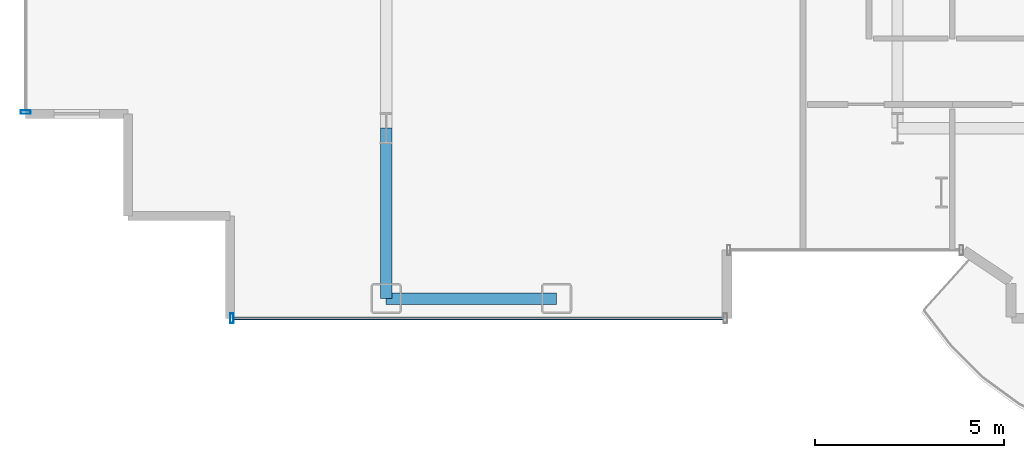
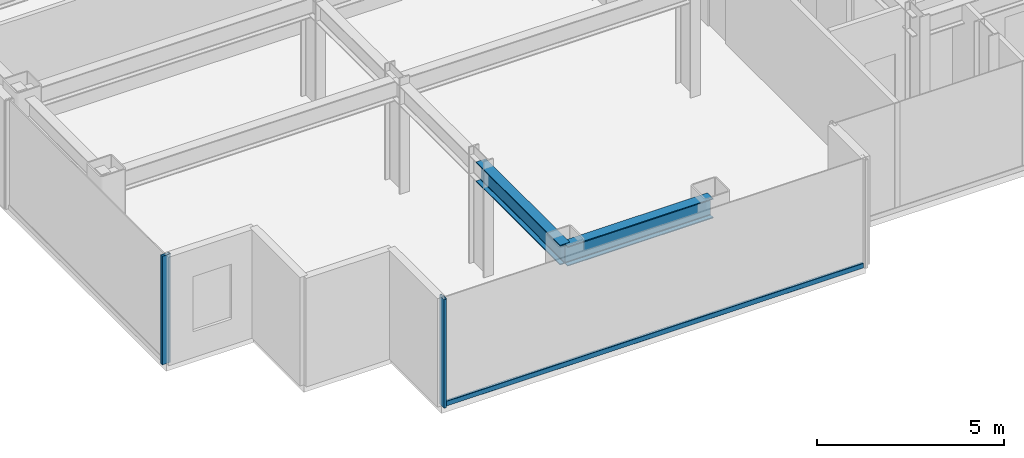
# One storey, part 3 of 26: 3 members, 2 beams, 2 elements without a shape of their own.
"""IFC4 building model written with IfcOpenShell, lengths in metres."""

from ifc_helpers import new_model, si_unit, direction, frame, origin, origin_2d, place, context, subcontext, project, spatial, hollow_rectangle, i_section, extrude, source, transform, mapped, material, layer, layer_set, material_profile, profile_set, type_object, element, aggregate, save


model = new_model("IFC4")

# Units and contexts
model_context = context("Model", 3, precision=1e-05, world=origin(), true_north=direction((0.0, 1.0)))
body_context = subcontext(model_context, "Body", "Model", "MODEL_VIEW")
ifc_project = project(units=[si_unit("LENGTHUNIT", "METRE"), si_unit("AREAUNIT", "SQUARE_METRE"), si_unit("VOLUMEUNIT", "CUBIC_METRE"), si_unit("PLANEANGLEUNIT", "RADIAN"), si_unit("MASSUNIT", "GRAM", prefix="KILO")], contexts=[model_context])

# Site, building, storey
site_placement = place(None, origin())
site = spatial("IfcSite", under=ifc_project, at=site_placement, CompositionType="ELEMENT")
building_placement = place(site_placement, origin())
building = spatial("IfcBuilding", under=site, at=building_placement, Name="Nefas-Gora Pilgrimage Tower", CompositionType="ELEMENT")
storey_placement = place(building_placement, frame((0.0, 0.0, 171.60009765625)))
storey = spatial("IfcBuildingStorey", under=building, at=storey_placement, Name="L42", CompositionType="ELEMENT", Elevation=171.60009765625)

# Beams
ifc_material_1 = material(Name="Steel S355", Category="steel")
ifc_material_profile_1 = material_profile(ifc_material_1, i_section(OverallWidth=0.300048828125, OverallDepth=0.64990234375, WebThickness=0.01611328125, FlangeThickness=0.031005859375, FilletRadius=0.027099609375, at=origin_2d()), Name="HEB 650")
ifc_profile_set_1 = profile_set([ifc_material_profile_1], Name="Steel S355")
beam_type_1 = type_object("IfcBeamType", Name="BM-SPN-HEB500", PredefinedType="SPANDREL", material=ifc_profile_set_1)
shared_shape_1 = source(origin(), body_context, "Body", "SweptSolid", [
    extrude(i_section(OverallWidth=0.300048828125, OverallDepth=0.64990234375, WebThickness=0.01611328125, FlangeThickness=0.031005859375, FilletRadius=0.027099609375, at=origin_2d()), origin(), (0.0, 0.0, 1.0), 4.5),
])
beam_1_placement = place(storey_placement, frame((-24.75, -22.5, 3.224853515625), z_axis=(1.0, 0.0, 0.0), x_axis=(0.0, 1.0, 0.0)))
element("IfcBeam", 1, at=beam_1_placement, inside=storey, type_object=beam_type_1, Name="L42 SP-02 beam", PredefinedType="SPANDREL", context=body_context, shape_type="MappedRepresentation", body=[
    mapped(shared_shape_1, transform((0.0, 0.0, 0.0), x_axis=(1.0, 0.0, 0.0), y_axis=(0.0, 1.0, 0.0), z_axis=(0.0, 0.0, 1.0), scale=1.0)),
])
ifc_material_profile_2 = material_profile(ifc_material_1, i_section(OverallWidth=0.300048828125, OverallDepth=0.64990234375, WebThickness=0.01611328125, FlangeThickness=0.031005859375, FilletRadius=0.027099609375, at=origin_2d()), Name="HEB 650")
ifc_profile_set_2 = profile_set([ifc_material_profile_2], Name="Steel S355")
beam_type_2 = type_object("IfcBeamType", Name="BM-GIR-HEB650", PredefinedType="BEAM", material=ifc_profile_set_2)
shared_shape_2 = source(origin(), body_context, "Body", "SweptSolid", [
    extrude(i_section(OverallWidth=0.300048828125, OverallDepth=0.64990234375, WebThickness=0.01611328125, FlangeThickness=0.031005859375, FilletRadius=0.027099609375, at=origin_2d()), origin(), (0.0, 0.0, 1.0), 4.5),
])
beam_2_placement = place(storey_placement, frame((-24.75, -22.5, 3.224853515625), z_axis=(0.0, 1.0, 0.0), x_axis=(-1.0, 0.0, 0.0)))
element("IfcBeam", 2, at=beam_2_placement, inside=storey, type_object=beam_type_2, Name="L42 G-03 beam", PredefinedType="BEAM", context=body_context, shape_type="MappedRepresentation", body=[
    mapped(shared_shape_2, transform((0.0, 0.0, 0.0), x_axis=(1.0, 0.0, 0.0), y_axis=(0.0, 1.0, 0.0), z_axis=(0.0, 0.0, 1.0), scale=1.0)),
])

# Curtain wall, member
ifc_material_2 = material(Name="Dark ceramic-fritted solar-control aluminium-glass curtain wall", Category="aluminium")
ifc_layer = layer(ifc_material_2, 0.219970703125)
ifc_layer_set = layer_set([ifc_layer], Name="Dark ceramic-fritted solar-control aluminium-glass curtain wall")
curtain_wall_type = type_object("IfcCurtainWallType", Name="CW-SYS-3", PredefinedType="NOTDEFINED", material=ifc_layer_set)
curtain_wall_1_placement = place(storey_placement, origin())
curtain_wall_1 = element("IfcCurtainWall", 3, at=curtain_wall_1_placement, inside=storey, type_object=curtain_wall_type, Name="L42 Unitised Curtain Wall CW3", PredefinedType="NOTDEFINED")
ifc_material_3 = material(Name="Anodised architectural aluminium", Category="aluminium")
ifc_material_profile_3 = material_profile(ifc_material_3, hollow_rectangle(XDim=0.080078125, YDim=0.159912109375, WallThickness=0.00439453125, InnerFilletRadius=0.00439453125, OuterFilletRadius=0.009033203125, at=origin_2d()), Name="ALU TRANSOM 80x160")
ifc_profile_set_3 = profile_set([ifc_material_profile_3], Name="Anodised architectural aluminium")
member_type_1 = type_object("IfcMemberType", Name="CWM-TRN-3", PredefinedType="USERDEFINED", material=ifc_profile_set_3)
shared_shape_3 = source(origin(), body_context, "Body", "SweptSolid", [
    extrude(hollow_rectangle(XDim=0.080078125, YDim=0.159912109375, WallThickness=0.00439453125, InnerFilletRadius=0.00439453125, OuterFilletRadius=0.009033203125, at=origin_2d()), origin(), (0.0, 0.0, 1.0), 12.93994140625),
])
member_1_placement = place(storey_placement, frame((-28.780029296875, -23.02001953125, 0.0498046875), z_axis=(1.0, 0.0, 0.0), x_axis=(0.0, 1.0, 0.0)))
member_1 = element("IfcMember", 4, at=member_1_placement, type_object=member_type_1, Name="CW3 Spandrel Transom", ObjectType="TRANSOM", PredefinedType="USERDEFINED", context=body_context, shape_type="MappedRepresentation", body=[
    mapped(shared_shape_3, transform((0.0, 0.0, 0.0), x_axis=(1.0, 0.0, 0.0), y_axis=(0.0, 1.0, 0.0), z_axis=(0.0, 0.0, 1.0), scale=1.0)),
])

curtain_wall_2_placement = place(storey_placement, origin())
curtain_wall_2 = element("IfcCurtainWall", 5, at=curtain_wall_2_placement, inside=storey, type_object=curtain_wall_type, Name="L42 Unitised Curtain Wall CW3", PredefinedType="NOTDEFINED")
ifc_material_profile_4 = material_profile(ifc_material_3, hollow_rectangle(XDim=0.090087890625, YDim=0.260009765625, WallThickness=0.006103515625, InnerFilletRadius=0.006103515625, OuterFilletRadius=0.011962890625, at=origin_2d()), Name="ALU MULLION 90x260")
ifc_profile_set_4 = profile_set([ifc_material_profile_4], Name="Anodised architectural aluminium")
member_type_2 = type_object("IfcMemberType", Name="CWM-MUL-3", PredefinedType="MULLION", material=ifc_profile_set_4)
shared_shape_4 = source(origin(), body_context, "Body", "SweptSolid", [
    extrude(hollow_rectangle(XDim=0.090087890625, YDim=0.260009765625, WallThickness=0.006103515625, InnerFilletRadius=0.006103515625, OuterFilletRadius=0.011962890625, at=origin_2d()), origin(), (0.0, 0.0, 1.0), 3.5498046875),
])
member_2_placement = place(storey_placement, frame((-34.27001953125, -17.574951171875, 0.0), z_axis=(0.0, 0.0, 1.0), x_axis=(0.0, -1.0, 0.0)))
member_2 = element("IfcMember", 6, at=member_2_placement, type_object=member_type_2, Name="CW3 Mullion 2", PredefinedType="MULLION", context=body_context, shape_type="MappedRepresentation", body=[
    mapped(shared_shape_4, transform((0.0, 0.0, 0.0), x_axis=(1.0, 0.0, 0.0), y_axis=(0.0, 1.0, 0.0), z_axis=(0.0, 0.0, 1.0), scale=1.0)),
])
aggregate(curtain_wall_2, [member_2])

# Member
member_3_placement = place(storey_placement, frame((-28.824951171875, -23.02001953125, 0.0), z_axis=(0.0, 0.0, 1.0), x_axis=(1.0, 0.0, 0.0)))
member_3 = element("IfcMember", 7, at=member_3_placement, type_object=member_type_2, Name="CW3 Mullion 1", PredefinedType="MULLION", context=body_context, shape_type="MappedRepresentation", body=[
    mapped(shared_shape_4, transform((0.0, 0.0, 0.0), x_axis=(1.0, 0.0, 0.0), y_axis=(0.0, 1.0, 0.0), z_axis=(0.0, 0.0, 1.0), scale=1.0)),
])

aggregate(curtain_wall_1, [member_3, member_1])

save(model, "model.ifc")
